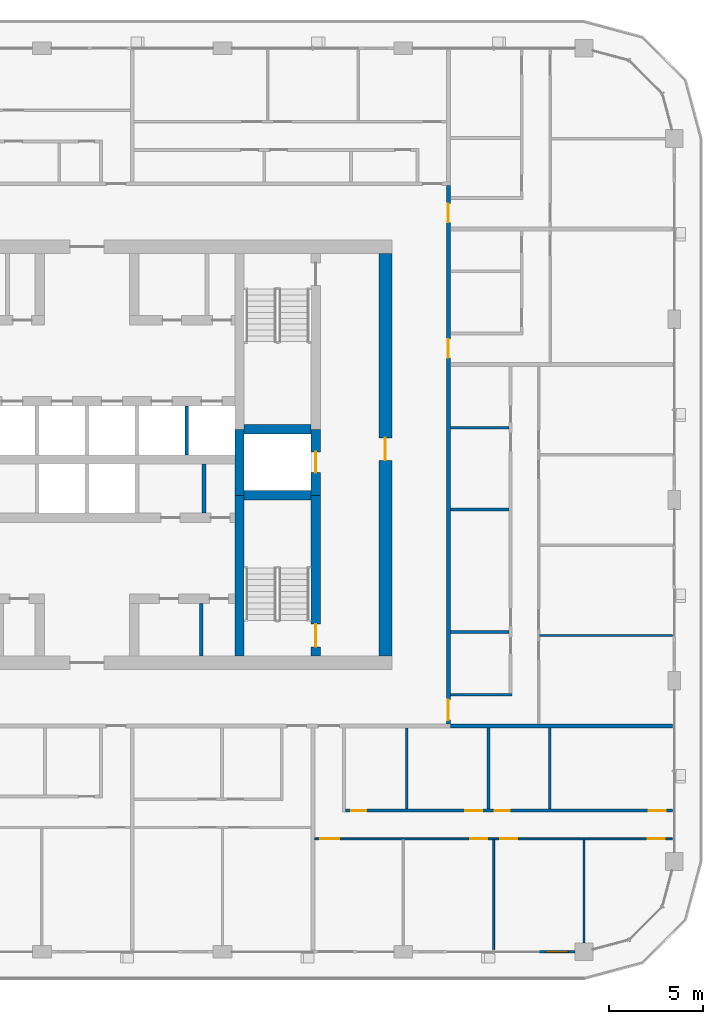
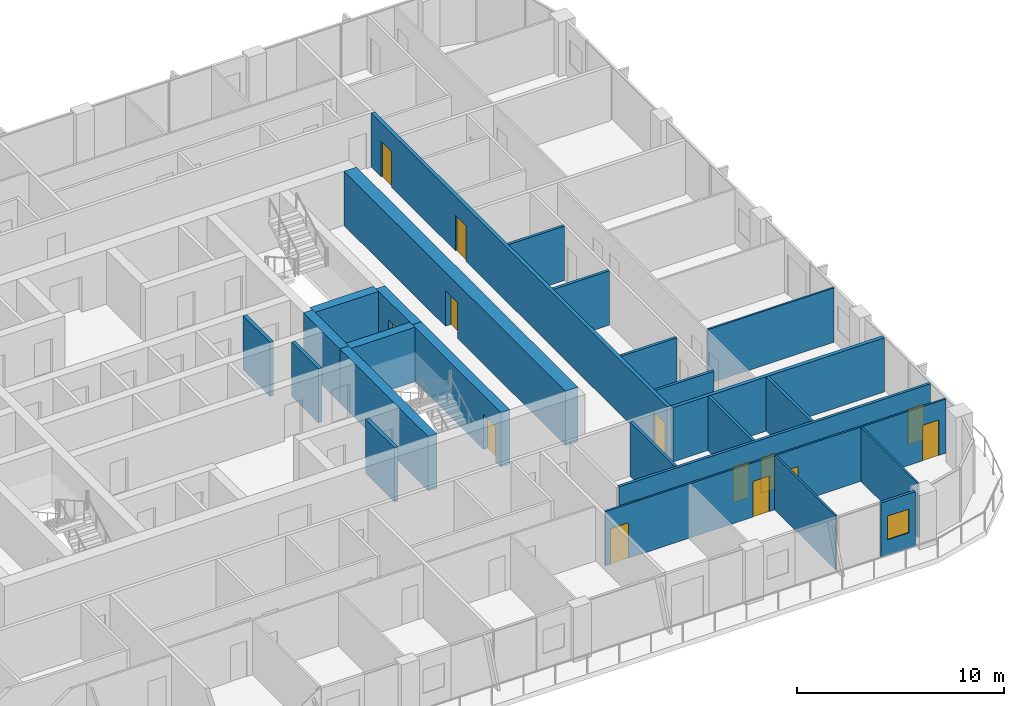
# One storey, part 12 of 22: 25 walls, 14 doors, 1 window, 15 openings.
"""IFC4 building model written with IfcOpenShell, lengths in metres."""

from ifc_helpers import new_model, si_unit, direction, frame, frame_2d, origin, place, context, subcontext, project, spatial, rectangle, extrude, material, layer, layer_set, type_object, element, fill, save


model = new_model("IFC4")

# Units and contexts
model_context = context("Model", 3, precision=1e-05, world=origin(), true_north=direction((0.0, 1.0)))
body_context = subcontext(model_context, "Body", "Model", "MODEL_VIEW")
ifc_project = project(units=[si_unit("LENGTHUNIT", "METRE"), si_unit("AREAUNIT", "SQUARE_METRE"), si_unit("VOLUMEUNIT", "CUBIC_METRE"), si_unit("PLANEANGLEUNIT", "RADIAN"), si_unit("MASSUNIT", "GRAM", prefix="KILO")], contexts=[model_context])

# Site, building, storey
site_placement = place(None, origin())
site = spatial("IfcSite", under=ifc_project, at=site_placement, CompositionType="ELEMENT")
building_placement = place(site_placement, origin())
building = spatial("IfcBuilding", under=site, at=building_placement, Name="Madar Terraces", CompositionType="ELEMENT")
storey_placement = place(building_placement, frame((0.0, 0.0, 182.39990234375)))
storey = spatial("IfcBuildingStorey", under=building, at=storey_placement, Name="L47", CompositionType="ELEMENT", Elevation=182.39990234375)

# Walls
ifc_material_1 = material(Name="Concrete C60/75", Category="concrete")
ifc_layer_1 = layer(ifc_material_1, 0.5)
ifc_layer_set_1 = layer_set([ifc_layer_1], Name="Concrete C60/75 (CIW4 RC wall 500)")
wall_type_1 = type_object("IfcWallType", Name="CIW4 RC wall 500", PredefinedType="SHEAR", material=ifc_layer_set_1)
wall_1_placement = place(storey_placement, frame((39.300048828125, 15.699951171875, 0.0), z_axis=(0.0, 0.0, 1.0), x_axis=(0.0, 1.0, 0.0)))
element("IfcWall", 1, at=wall_1_placement, inside=storey, type_object=wall_type_1, Name="CORE SHAFT WALL", PredefinedType="SHEAR", context=body_context, shape_type="SweptSolid", body=[
    extrude(rectangle(XDim=8.550048828125, YDim=0.5, at=frame_2d((4.27490234375, 0.0))), origin(), (0.0, 0.0, 1.0), 3.2001953125),
])
wall_2_placement = place(storey_placement, frame((39.300048828125, 24.25, 0.0), z_axis=(0.0, 0.0, 1.0), x_axis=(0.0, 1.0, 0.0)))
element("IfcWall", 2, at=wall_2_placement, inside=storey, type_object=wall_type_1, Name="CORE SHAFT WALL", PredefinedType="SHEAR", context=body_context, shape_type="SweptSolid", body=[
    extrude(rectangle(XDim=3.5, YDim=0.5, at=frame_2d((1.75, 0.0))), origin(), (0.0, 0.0, 1.0), 3.2001953125),
])

# Wall, opening, door
wall_3_placement = place(storey_placement, frame((43.35009765625, 15.699951171875, 0.0), z_axis=(0.0, 0.0, 1.0), x_axis=(0.0, 1.0, 0.0)))
wall_3 = element("IfcWall", 3, at=wall_3_placement, inside=storey, type_object=wall_type_1, Name="CORE SHAFT WALL", PredefinedType="SHEAR", context=body_context, shape_type="SweptSolid", body=[
    extrude(rectangle(XDim=8.550048828125, YDim=0.5, at=frame_2d((4.27490234375, 0.0))), origin(), (0.0, 0.0, 1.0), 3.2001953125),
])
opening_1_placement = place(wall_3_placement, frame((0.5, 0.0, 0.0)))
opening_1 = element("IfcOpeningElement", 4, at=opening_1_placement, cuts=wall_3, Name="Opening SD1", PredefinedType="OPENING", context=body_context, shape_type="SweptSolid", body=[
    extrude(rectangle(XDim=1.199951171875, YDim=2.10009765625, at=frame_2d((0.60009765625, 1.050048828125))), frame((0.0, 0.260009765625, 0.0), z_axis=(0.0, -1.0, 0.0), x_axis=(1.0, 0.0, 0.0)), (0.0, 0.0, 1.0), 0.52001953125),
])
ifc_material_2 = material(Name="Steel door leaf", Category="steel")
door_type_1 = type_object("IfcDoorType", Name="Stair door 1200 x 2100", OperationType="NOTDEFINED", PredefinedType="DOOR", material=ifc_material_2)
door_1_placement = place(opening_1_placement, origin())
door_1 = element("IfcDoor", 5, at=door_1_placement, inside=storey, type_object=door_type_1, Name="STAIR DOOR", OperationType="SINGLE_SWING_RIGHT", OverallHeight=2.10009765625, OverallWidth=1.199951171875, PredefinedType="DOOR", context=body_context, shape_type="SweptSolid", body=[
    extrude(rectangle(XDim=1.199951171875, YDim=2.10009765625, at=frame_2d((0.60009765625, 1.050048828125))), frame((0.0, 0.02490234375, 0.0), z_axis=(0.0, -1.0, 0.0), x_axis=(1.0, 0.0, 0.0)), (0.0, 0.0, 1.0), 0.050048828125),
])
fill(opening_1, door_1)

wall_4_placement = place(storey_placement, frame((43.35009765625, 24.25, 0.0), z_axis=(0.0, 0.0, 1.0), x_axis=(0.0, 1.0, 0.0)))
wall_4 = element("IfcWall", 6, at=wall_4_placement, inside=storey, type_object=wall_type_1, Name="CORE SHAFT WALL", PredefinedType="SHEAR", context=body_context, shape_type="SweptSolid", body=[
    extrude(rectangle(XDim=3.5, YDim=0.5, at=frame_2d((1.75, 0.0))), origin(), (0.0, 0.0, 1.0), 3.2001953125),
])
opening_2_placement = place(wall_4_placement, frame((1.199951171875, 0.0, 0.0)))
opening_2 = element("IfcOpeningElement", 7, at=opening_2_placement, cuts=wall_4, Name="Opening LD", PredefinedType="OPENING", context=body_context, shape_type="SweptSolid", body=[
    extrude(rectangle(XDim=1.10009765625, YDim=2.10009765625, at=frame_2d((0.550048828125, 1.050048828125))), frame((0.0, 0.260009765625, 0.0), z_axis=(0.0, -1.0, 0.0), x_axis=(1.0, 0.0, 0.0)), (0.0, 0.0, 1.0), 0.52001953125),
])
ifc_material_3 = material(Name="Stainless steel panel", Category="steel")
door_type_2 = type_object("IfcDoorType", Name="Lift landing door 1100 x 2100", OperationType="DOUBLE_DOOR_SLIDING", PredefinedType="DOOR", material=ifc_material_3)
door_2_placement = place(opening_2_placement, origin())
door_2 = element("IfcDoor", 8, at=door_2_placement, inside=storey, type_object=door_type_2, Name="LIFT LANDING DOOR", OperationType="DOUBLE_DOOR_SLIDING", OverallHeight=2.10009765625, OverallWidth=1.10009765625, PredefinedType="DOOR", context=body_context, shape_type="SweptSolid", body=[
    extrude(rectangle(XDim=1.10009765625, YDim=2.10009765625, at=frame_2d((0.550048828125, 1.050048828125))), frame((0.0, 0.02490234375, 0.0), z_axis=(0.0, -1.0, 0.0), x_axis=(1.0, 0.0, 0.0)), (0.0, 0.0, 1.0), 0.050048828125),
])
fill(opening_2, door_2)

# Walls
for number, where, z_axis, x_axis, name in (
    (9, (39.550048828125, 24.25, 0.0), (0.0, 0.0, 1.0), (1.0, 0.0, 0.0), "CORE SHAFT WALL"),
    (10, (39.550048828125, 27.75, 0.0), (0.0, 0.0, 1.0), (1.0, 0.0, 0.0), "CORE SHAFT WALL"),
):
    element("IfcWall", number, at=place(storey_placement, frame(where, z_axis=z_axis, x_axis=x_axis)), inside=storey, type_object=wall_type_1, Name=name, PredefinedType="SHEAR", context=body_context, shape_type="SweptSolid", body=[
        extrude(rectangle(XDim=3.550048828125, YDim=0.5, at=frame_2d((1.77490234375, 0.0))), origin(), (0.0, 0.0, 1.0), 3.2001953125),
    ])

# Wall, opening, door
ifc_material_4 = material(Name="Concrete C60/75", Category="concrete")
ifc_layer_2 = layer(ifc_material_4, 0.699951171875)
ifc_layer_set_2 = layer_set([ifc_layer_2], Name="Concrete C60/75 (CRW4 RC wall 700)")
wall_type_2 = type_object("IfcWallType", Name="CRW4 RC wall 700", PredefinedType="SHEAR", material=ifc_layer_set_2)
wall_5_placement = place(storey_placement, frame((47.050048828125, 15.699951171875, 0.0), z_axis=(0.0, 0.0, 1.0), x_axis=(0.0, 1.0, 0.0)))
wall_5 = element("IfcWall", 11, at=wall_5_placement, inside=storey, type_object=wall_type_2, Name="CORE OUTER WALL", PredefinedType="SHEAR", context=body_context, shape_type="SweptSolid", body=[
    extrude(rectangle(XDim=21.400146484375, YDim=0.699951171875, at=frame_2d((10.7001953125, 0.0))), origin(), (0.0, 0.0, 1.0), 3.2001953125),
])
opening_3_placement = place(wall_5_placement, frame((10.39990234375, 0.0, 0.0)))
opening_3 = element("IfcOpeningElement", 12, at=opening_3_placement, cuts=wall_5, Name="Opening SD1", PredefinedType="OPENING", context=body_context, shape_type="SweptSolid", body=[
    extrude(rectangle(XDim=1.199951171875, YDim=2.10009765625, at=frame_2d((0.60009765625, 1.050048828125))), frame((0.0, 0.35986328125, 0.0), z_axis=(0.0, -1.0, 0.0), x_axis=(1.0, 0.0, 0.0)), (0.0, 0.0, 1.0), 0.719970703125),
])
door_3_placement = place(opening_3_placement, origin())
door_3 = element("IfcDoor", 13, at=door_3_placement, inside=storey, type_object=door_type_1, Name="STAIR DOOR", OperationType="SINGLE_SWING_LEFT", OverallHeight=2.10009765625, OverallWidth=1.199951171875, PredefinedType="DOOR", context=body_context, shape_type="SweptSolid", body=[
    extrude(rectangle(XDim=1.199951171875, YDim=2.10009765625, at=frame_2d((0.60009765625, 1.050048828125))), frame((0.0, 0.02490234375, 0.0), z_axis=(0.0, -1.0, 0.0), x_axis=(1.0, 0.0, 0.0)), (0.0, 0.0, 1.0), 0.050048828125),
])
fill(opening_3, door_3)

# Walls
ifc_material_5 = material(Name="Masonry blockwork", Category="masonry")
ifc_layer_3 = layer(ifc_material_5, 0.199951171875)
ifc_layer_set_3 = layer_set([ifc_layer_3], Name="Core partition 200 blockwork")
wall_type_3 = type_object("IfcWallType", Name="Core partition 200 blockwork", PredefinedType="PARTITIONING", material=ifc_layer_set_3)
wall_6_placement = place(storey_placement, frame((37.41796875, 23.300048828125, 0.0), z_axis=(0.0, 0.0, 1.0), x_axis=(0.0, 1.0, 0.0)))
element("IfcWall", 14, at=wall_6_placement, inside=storey, type_object=wall_type_3, Name="SERVICE ROOM PARTITION", PredefinedType="PARTITIONING", context=body_context, shape_type="SweptSolid", body=[
    extrude(rectangle(XDim=2.599853515625, YDim=0.199951171875, at=frame_2d((1.2998046875, 0.0))), origin(), (0.0, 0.0, 1.0), 3.2001953125),
])
wall_7_placement = place(storey_placement, frame((37.264892578125, 15.699951171875, 0.0), z_axis=(0.0, 0.0, 1.0), x_axis=(0.0, 1.0, 0.0)))
element("IfcWall", 15, at=wall_7_placement, inside=storey, type_object=wall_type_3, Name="SERVICE ROOM PARTITION", PredefinedType="PARTITIONING", context=body_context, shape_type="SweptSolid", body=[
    extrude(rectangle(XDim=2.800048828125, YDim=0.199951171875, at=frame_2d((1.39990234375, 0.0))), origin(), (0.0, 0.0, 1.0), 3.2001953125),
])
ifc_material_6 = material(Name="Concrete C40/50", Category="concrete")
ifc_layer_4 = layer(ifc_material_6, 0.199951171875)
ifc_layer_set_4 = layer_set([ifc_layer_4], Name="Core shaft dividing wall 200 C40/50")
wall_type_4 = type_object("IfcWallType", Name="Core shaft dividing wall 200 C40/50", PredefinedType="SOLIDWALL", material=ifc_layer_set_4)
wall_8_placement = place(storey_placement, frame((36.5, 26.39990234375, 0.0), z_axis=(0.0, 0.0, 1.0), x_axis=(0.0, 1.0, 0.0)))
element("IfcWall", 16, at=wall_8_placement, inside=storey, type_object=wall_type_4, Name="SHAFT DIVIDING WALL", PredefinedType="SOLIDWALL", context=body_context, shape_type="SweptSolid", body=[
    extrude(rectangle(XDim=2.60009765625, YDim=0.199951171875, at=frame_2d((1.300048828125, 0.0))), origin(), (0.0, 0.0, 1.0), 3.2001953125),
])

# Wall, opening, window
ifc_material_7 = material(Name="Aluminium composite panel, black, over insulated backing", Category="aluminium")
ifc_layer_5 = layer(ifc_material_7, 0.14990234375)
ifc_layer_set_5 = layer_set([ifc_layer_5], Name="Facade bay panel 150")
wall_type_5 = type_object("IfcWallType", Name="Facade bay panel 150", PredefinedType="SOLIDWALL", material=ifc_layer_set_5)
wall_9_placement = place(storey_placement, frame((55.199951171875, 0.0, 0.0), z_axis=(0.0, 0.0, 1.0), x_axis=(1.0, 0.0, 0.0)))
wall_9 = element("IfcWall", 17, at=wall_9_placement, inside=storey, type_object=wall_type_5, Name="Facade bay panel", PredefinedType="SOLIDWALL", context=body_context, shape_type="SweptSolid", body=[
    extrude(rectangle(XDim=1.925048828125, YDim=0.14990234375, at=frame_2d((0.96240234375, 0.0))), origin(), (0.0, 0.0, 1.0), 3.2001953125),
])
opening_4_placement = place(wall_9_placement, frame((0.362548828125, 0.0, 0.89990234375)))
opening_4 = element("IfcOpeningElement", 18, at=opening_4_placement, cuts=wall_9, Name="Opening W1", PredefinedType="OPENING", context=body_context, shape_type="SweptSolid", body=[
    extrude(rectangle(XDim=1.199951171875, YDim=1.39990234375, at=frame_2d((0.60009765625, 0.699951171875))), frame((0.0, 0.0849609375, 0.0), z_axis=(0.0, -1.0, 0.0), x_axis=(1.0, 0.0, 0.0)), (0.0, 0.0, 1.0), 0.169921875),
])
ifc_material_8 = material(Name="Glass, clear, with black aluminium frame", Category="aluminium")
window_type = type_object("IfcWindowType", Name="Vent window 1200 x 1400", PartitioningType="SINGLE_PANEL", PredefinedType="WINDOW", material=ifc_material_8)
window_placement = place(opening_4_placement, origin())
window = element("IfcWindow", 19, at=window_placement, inside=storey, type_object=window_type, Name="Operable vent window", OverallHeight=1.39990234375, OverallWidth=1.199951171875, PartitioningType="SINGLE_PANEL", PredefinedType="WINDOW", context=body_context, shape_type="SweptSolid", body=[
    extrude(rectangle(XDim=1.199951171875, YDim=1.39990234375, at=frame_2d((0.60009765625, 0.699951171875))), frame((0.0, 0.030029296875, 0.0), z_axis=(0.0, -1.0, 0.0), x_axis=(1.0, 0.0, 0.0)), (0.0, 0.0, 1.0), 0.06005859375),
])
fill(opening_4, window)

# Walls
ifc_material_9 = material(Name="Gypsum board on steel studs", Category="steel")
ifc_layer_6 = layer(ifc_material_9, 0.10009765625)
ifc_layer_set_6 = layer_set([ifc_layer_6], Name="Flat partition 100")
wall_type_6 = type_object("IfcWallType", Name="Flat partition 100", PredefinedType="PARTITIONING", material=ifc_layer_set_6)
wall_10_placement = place(storey_placement, frame((52.800048828125, 5.949951171875, 0.0), z_axis=(0.0, 0.0, 1.0), x_axis=(0.0, -1.0, 0.0)))
element("IfcWall", 20, at=wall_10_placement, inside=storey, type_object=wall_type_6, Name="Flat partition 100", PredefinedType="PARTITIONING", context=body_context, shape_type="SweptSolid", body=[
    extrude(rectangle(XDim=5.849853515625, YDim=0.10009765625, at=frame_2d((2.9248046875, 0.0))), origin(), (0.0, 0.0, 1.0), 3.2001953125),
])
wall_11_placement = place(storey_placement, frame((57.60009765625, 5.949951171875, 0.0), z_axis=(0.0, 0.0, 1.0), x_axis=(0.0, -1.0, 0.0)))
element("IfcWall", 21, at=wall_11_placement, inside=storey, type_object=wall_type_6, Name="Flat partition 100", PredefinedType="PARTITIONING", context=body_context, shape_type="SweptSolid", body=[
    extrude(rectangle(XDim=5.474853515625, YDim=0.10009765625, at=frame_2d((2.7373046875, 0.0))), origin(), (0.0, 0.0, 1.0), 3.2001953125),
])

# Wall, openings, doors
wall_12_placement = place(storey_placement, frame((62.300048828125, 6.0, 0.0), z_axis=(0.0, 0.0, 1.0), x_axis=(-1.0, 0.0, 0.0)))
wall_12 = element("IfcWall", 22, at=wall_12_placement, inside=storey, type_object=wall_type_6, Name="Flat partition 100", PredefinedType="PARTITIONING", context=body_context, shape_type="SweptSolid", body=[
    extrude(rectangle(XDim=19.0, YDim=0.10009765625, at=frame_2d((9.5, 0.0))), origin(), (0.0, 0.0, 1.0), 3.2001953125),
])
opening_5_placement = place(wall_12_placement, frame((17.699951171875, 0.0, 0.0)))
opening_5 = element("IfcOpeningElement", 23, at=opening_5_placement, cuts=wall_12, Name="Opening D3", PredefinedType="OPENING", context=body_context, shape_type="SweptSolid", body=[
    extrude(rectangle(XDim=1.0, YDim=2.10009765625, at=frame_2d((0.5, 1.050048828125))), frame((0.0, 0.06005859375, 0.0), z_axis=(0.0, -1.0, 0.0), x_axis=(1.0, 0.0, 0.0)), (0.0, 0.0, 1.0), 0.1201171875),
])
opening_6_placement = place(wall_12_placement, frame((9.85009765625, 0.0, 0.0)))
opening_6 = element("IfcOpeningElement", 24, at=opening_6_placement, cuts=wall_12, Name="Opening D2", PredefinedType="OPENING", context=body_context, shape_type="SweptSolid", body=[
    extrude(rectangle(XDim=0.89990234375, YDim=2.10009765625, at=frame_2d((0.449951171875, 1.050048828125))), frame((0.0, 0.06005859375, 0.0), z_axis=(0.0, -1.0, 0.0), x_axis=(1.0, 0.0, 0.0)), (0.0, 0.0, 1.0), 0.1201171875),
])
opening_7_placement = place(wall_12_placement, frame((8.25, 0.0, 0.0)))
opening_7 = element("IfcOpeningElement", 25, at=opening_7_placement, cuts=wall_12, Name="Opening D2", PredefinedType="OPENING", context=body_context, shape_type="SweptSolid", body=[
    extrude(rectangle(XDim=0.89990234375, YDim=2.10009765625, at=frame_2d((0.449951171875, 1.050048828125))), frame((0.0, 0.06005859375, 0.0), z_axis=(0.0, -1.0, 0.0), x_axis=(1.0, 0.0, 0.0)), (0.0, 0.0, 1.0), 0.1201171875),
])
opening_8_placement = place(wall_12_placement, frame((0.39990234375, 0.0, 0.0)))
opening_8 = element("IfcOpeningElement", 26, at=opening_8_placement, cuts=wall_12, Name="Opening D2", PredefinedType="OPENING", context=body_context, shape_type="SweptSolid", body=[
    extrude(rectangle(XDim=0.89990234375, YDim=2.10009765625, at=frame_2d((0.449951171875, 1.050048828125))), frame((0.0, 0.06005859375, 0.0), z_axis=(0.0, -1.0, 0.0), x_axis=(1.0, 0.0, 0.0)), (0.0, 0.0, 1.0), 0.1201171875),
])
ifc_material_10 = material(Name="Timber door leaf", Category="wood")
door_type_3 = type_object("IfcDoorType", Name="Flat living room door 1000", OperationType="NOTDEFINED", PredefinedType="DOOR", material=ifc_material_10)
door_4_placement = place(opening_5_placement, origin())
door_4 = element("IfcDoor", 27, at=door_4_placement, inside=storey, type_object=door_type_3, Name="Flat living room door 1000", OperationType="SINGLE_SWING_RIGHT", OverallHeight=2.10009765625, OverallWidth=1.0, PredefinedType="DOOR", context=body_context, shape_type="SweptSolid", body=[
    extrude(rectangle(XDim=1.0, YDim=2.10009765625, at=frame_2d((0.5, 1.050048828125))), frame((0.0, 0.02490234375, 0.0), z_axis=(0.0, -1.0, 0.0), x_axis=(1.0, 0.0, 0.0)), (0.0, 0.0, 1.0), 0.050048828125),
])
fill(opening_5, door_4)
ifc_material_11 = material(Name="Timber door leaf", Category="wood")
door_type_4 = type_object("IfcDoorType", Name="Flat room door 900", OperationType="NOTDEFINED", PredefinedType="DOOR", material=ifc_material_11)
door_5_placement = place(opening_6_placement, origin())
door_5 = element("IfcDoor", 28, at=door_5_placement, inside=storey, type_object=door_type_4, Name="Flat room door 900", OperationType="SINGLE_SWING_LEFT", OverallHeight=2.10009765625, OverallWidth=0.89990234375, PredefinedType="DOOR", context=body_context, shape_type="SweptSolid", body=[
    extrude(rectangle(XDim=0.89990234375, YDim=2.10009765625, at=frame_2d((0.449951171875, 1.050048828125))), frame((0.0, 0.02490234375, 0.0), z_axis=(0.0, -1.0, 0.0), x_axis=(1.0, 0.0, 0.0)), (0.0, 0.0, 1.0), 0.050048828125),
])
fill(opening_6, door_5)
door_6_placement = place(opening_7_placement, origin())
door_6 = element("IfcDoor", 29, at=door_6_placement, inside=storey, type_object=door_type_4, Name="Flat room door 900", OperationType="SINGLE_SWING_RIGHT", OverallHeight=2.10009765625, OverallWidth=0.89990234375, PredefinedType="DOOR", context=body_context, shape_type="SweptSolid", body=[
    extrude(rectangle(XDim=0.89990234375, YDim=2.10009765625, at=frame_2d((0.449951171875, 1.050048828125))), frame((0.0, 0.02490234375, 0.0), z_axis=(0.0, -1.0, 0.0), x_axis=(1.0, 0.0, 0.0)), (0.0, 0.0, 1.0), 0.050048828125),
])
fill(opening_7, door_6)
door_7_placement = place(opening_8_placement, origin())
door_7 = element("IfcDoor", 30, at=door_7_placement, inside=storey, type_object=door_type_4, Name="Flat room door 900", OperationType="SINGLE_SWING_LEFT", OverallHeight=2.10009765625, OverallWidth=0.89990234375, PredefinedType="DOOR", context=body_context, shape_type="SweptSolid", body=[
    extrude(rectangle(XDim=0.89990234375, YDim=2.10009765625, at=frame_2d((0.449951171875, 1.050048828125))), frame((0.0, 0.02490234375, 0.0), z_axis=(0.0, -1.0, 0.0), x_axis=(1.0, 0.0, 0.0)), (0.0, 0.0, 1.0), 0.050048828125),
])
fill(opening_8, door_7)

# Wall
wall_13_placement = place(storey_placement, frame((55.25, 16.800048828125, 0.0), z_axis=(0.0, 0.0, 1.0), x_axis=(1.0, 0.0, 0.0)))
element("IfcWall", 31, at=wall_13_placement, inside=storey, type_object=wall_type_6, Name="Flat partition 100", PredefinedType="PARTITIONING", context=body_context, shape_type="SweptSolid", body=[
    extrude(rectangle(XDim=7.050048828125, YDim=0.10009765625, at=frame_2d((3.52490234375, 0.0))), origin(), (0.0, 0.0, 1.0), 3.2001953125),
])

# Wall, openings, doors
ifc_material_12 = material(Name="Lightweight blockwork", Category="masonry")
ifc_layer_7 = layer(ifc_material_12, 0.199951171875)
ifc_layer_set_7 = layer_set([ifc_layer_7], Name="Flat party and entrance wall 200")
wall_type_7 = type_object("IfcWallType", Name="Flat party and entrance wall 200", PredefinedType="PARTITIONING", material=ifc_layer_set_7)
wall_14_placement = place(storey_placement, frame((50.39990234375, 40.699951171875, 0.0), z_axis=(0.0, 0.0, 1.0), x_axis=(0.0, -1.0, 0.0)))
wall_14 = element("IfcWall", 32, at=wall_14_placement, inside=storey, type_object=wall_type_7, Name="Flat party and entrance wall 200", PredefinedType="PARTITIONING", context=body_context, shape_type="SweptSolid", body=[
    extrude(rectangle(XDim=28.599853515625, YDim=0.199951171875, at=frame_2d((14.2998046875, 0.0))), origin(), (0.0, 0.0, 1.0), 3.2001953125),
])
opening_9_placement = place(wall_14_placement, frame((27.300048828125, 0.0, 0.0)))
opening_9 = element("IfcOpeningElement", 33, at=opening_9_placement, cuts=wall_14, Name="Opening D6", PredefinedType="OPENING", context=body_context, shape_type="SweptSolid", body=[
    extrude(rectangle(XDim=1.10009765625, YDim=2.10009765625, at=frame_2d((0.550048828125, 1.050048828125))), frame((0.0, 0.10986328125, 0.0), z_axis=(0.0, -1.0, 0.0), x_axis=(1.0, 0.0, 0.0)), (0.0, 0.0, 1.0), 0.219970703125),
])
opening_10_placement = place(wall_14_placement, frame((8.14990234375, 0.0, 0.0)))
opening_10 = element("IfcOpeningElement", 34, at=opening_10_placement, cuts=wall_14, Name="Opening D1", PredefinedType="OPENING", context=body_context, shape_type="SweptSolid", body=[
    extrude(rectangle(XDim=1.0, YDim=2.10009765625, at=frame_2d((0.5, 1.050048828125))), frame((0.0, 0.10986328125, 0.0), z_axis=(0.0, -1.0, 0.0), x_axis=(1.0, 0.0, 0.0)), (0.0, 0.0, 1.0), 0.219970703125),
])
opening_11_placement = place(wall_14_placement, frame((0.949951171875, 0.0, 0.0)))
opening_11 = element("IfcOpeningElement", 35, at=opening_11_placement, cuts=wall_14, Name="Opening D1", PredefinedType="OPENING", context=body_context, shape_type="SweptSolid", body=[
    extrude(rectangle(XDim=1.0, YDim=2.10009765625, at=frame_2d((0.5, 1.050048828125))), frame((0.0, 0.10986328125, 0.0), z_axis=(0.0, -1.0, 0.0), x_axis=(1.0, 0.0, 0.0)), (0.0, 0.0, 1.0), 0.219970703125),
])
ifc_material_13 = material(Name="Timber fire door leaf", Category="wood")
door_type_5 = type_object("IfcDoorType", Name="Flat entrance door 1000 FD30S", OperationType="NOTDEFINED", PredefinedType="DOOR", material=ifc_material_13)
door_8_placement = place(opening_10_placement, origin())
door_8 = element("IfcDoor", 36, at=door_8_placement, inside=storey, type_object=door_type_5, Name="Flat entrance door 1000 FD30S", OperationType="SINGLE_SWING_RIGHT", OverallHeight=2.10009765625, OverallWidth=1.0, PredefinedType="DOOR", context=body_context, shape_type="SweptSolid", body=[
    extrude(rectangle(XDim=1.0, YDim=2.10009765625, at=frame_2d((0.5, 1.050048828125))), frame((0.0, 0.02490234375, 0.0), z_axis=(0.0, -1.0, 0.0), x_axis=(1.0, 0.0, 0.0)), (0.0, 0.0, 1.0), 0.050048828125),
])
fill(opening_10, door_8)
door_9_placement = place(opening_11_placement, origin())
door_9 = element("IfcDoor", 37, at=door_9_placement, inside=storey, type_object=door_type_5, Name="Flat entrance door 1000 FD30S", OperationType="SINGLE_SWING_RIGHT", OverallHeight=2.10009765625, OverallWidth=1.0, PredefinedType="DOOR", context=body_context, shape_type="SweptSolid", body=[
    extrude(rectangle(XDim=1.0, YDim=2.10009765625, at=frame_2d((0.5, 1.050048828125))), frame((0.0, 0.02490234375, 0.0), z_axis=(0.0, -1.0, 0.0), x_axis=(1.0, 0.0, 0.0)), (0.0, 0.0, 1.0), 0.050048828125),
])
fill(opening_11, door_9)
ifc_material_14 = material(Name="Timber fire door leaf", Category="wood")
door_type_6 = type_object("IfcDoorType", Name="Flat entrance door 1100 FD30S", OperationType="NOTDEFINED", PredefinedType="DOOR", material=ifc_material_14)
door_10_placement = place(opening_9_placement, origin())
door_10 = element("IfcDoor", 38, at=door_10_placement, inside=storey, type_object=door_type_6, Name="Flat entrance door 1100 FD30S", OperationType="SINGLE_SWING_RIGHT", OverallHeight=2.10009765625, OverallWidth=1.10009765625, PredefinedType="DOOR", context=body_context, shape_type="SweptSolid", body=[
    extrude(rectangle(XDim=1.10009765625, YDim=2.10009765625, at=frame_2d((0.550048828125, 1.050048828125))), frame((0.0, 0.02490234375, 0.0), z_axis=(0.0, -1.0, 0.0), x_axis=(1.0, 0.0, 0.0)), (0.0, 0.0, 1.0), 0.050048828125),
])
fill(opening_9, door_10)

# Walls
wall_15_placement = place(storey_placement, frame((50.5, 12.0, 0.0), z_axis=(0.0, 0.0, 1.0), x_axis=(1.0, 0.0, 0.0)))
element("IfcWall", 39, at=wall_15_placement, inside=storey, type_object=wall_type_7, Name="Flat party and entrance wall 200", PredefinedType="PARTITIONING", context=body_context, shape_type="SweptSolid", body=[
    extrude(rectangle(XDim=11.800048828125, YDim=0.199951171875, at=frame_2d((5.89990234375, 0.0))), origin(), (0.0, 0.0, 1.0), 3.2001953125),
])
ifc_material_15 = material(Name="Lightweight blockwork", Category="masonry")
ifc_layer_8 = layer(ifc_material_15, 0.14990234375)
ifc_layer_set_8 = layer_set([ifc_layer_8], Name="Flat wet-room partition 150")
wall_type_8 = type_object("IfcWallType", Name="Flat wet-room partition 150", PredefinedType="PARTITIONING", material=ifc_layer_set_8)
for number, where, z_axis, x_axis, name in (
    (40, (48.182861328125, 11.89990234375, 0.0), (0.0, 0.0, 1.0), (0.0, -1.0, 0.0), "Flat wet-room partition 150"),
    (41, (52.526611328125, 11.89990234375, 0.0), (0.0, 0.0, 1.0), (0.0, -1.0, 0.0), "Flat wet-room partition 150"),
    (42, (55.784423828125, 11.89990234375, 0.0), (0.0, 0.0, 1.0), (0.0, -1.0, 0.0), "Flat wet-room partition 150"),
):
    element("IfcWall", number, at=place(storey_placement, frame(where, z_axis=z_axis, x_axis=x_axis)), inside=storey, type_object=wall_type_8, Name=name, PredefinedType="PARTITIONING", context=body_context, shape_type="SweptSolid", body=[
        extrude(rectangle(XDim=4.324951171875, YDim=0.14990234375, at=frame_2d((2.16259765625, 0.0))), origin(), (0.0, 0.0, 1.0), 3.2001953125),
    ])

# Wall, openings, doors
wall_16_placement = place(storey_placement, frame((44.925048828125, 7.5, 0.0), z_axis=(0.0, 0.0, 1.0), x_axis=(1.0, 0.0, 0.0)))
wall_16 = element("IfcWall", 43, at=wall_16_placement, inside=storey, type_object=wall_type_8, Name="Flat wet-room partition 150", PredefinedType="PARTITIONING", context=body_context, shape_type="SweptSolid", body=[
    extrude(rectangle(XDim=17.375, YDim=0.14990234375, at=frame_2d((8.6875, 0.0))), origin(), (0.0, 0.0, 1.0), 3.2001953125),
])
opening_12_placement = place(wall_16_placement, frame((0.300048828125, 0.0, 0.0)))
opening_12 = element("IfcOpeningElement", 44, at=opening_12_placement, cuts=wall_16, Name="Opening D7", PredefinedType="OPENING", context=body_context, shape_type="SweptSolid", body=[
    extrude(rectangle(XDim=0.800048828125, YDim=2.10009765625, at=frame_2d((0.39990234375, 1.050048828125))), frame((0.0, 0.0849609375, 0.0), z_axis=(0.0, -1.0, 0.0), x_axis=(1.0, 0.0, 0.0)), (0.0, 0.0, 1.0), 0.169921875),
])
opening_13_placement = place(wall_16_placement, frame((6.376708984375, 0.0, 0.0)))
opening_13 = element("IfcOpeningElement", 45, at=opening_13_placement, cuts=wall_16, Name="Opening D5", PredefinedType="OPENING", context=body_context, shape_type="SweptSolid", body=[
    extrude(rectangle(XDim=0.89990234375, YDim=2.10009765625, at=frame_2d((0.449951171875, 1.050048828125))), frame((0.0, 0.0849609375, 0.0), z_axis=(0.0, -1.0, 0.0), x_axis=(1.0, 0.0, 0.0)), (0.0, 0.0, 1.0), 0.169921875),
])
opening_14_placement = place(wall_16_placement, frame((7.926513671875, 0.0, 0.0)))
opening_14 = element("IfcOpeningElement", 46, at=opening_14_placement, cuts=wall_16, Name="Opening D4", PredefinedType="OPENING", context=body_context, shape_type="SweptSolid", body=[
    extrude(rectangle(XDim=0.800048828125, YDim=2.10009765625, at=frame_2d((0.39990234375, 1.050048828125))), frame((0.0, 0.0849609375, 0.0), z_axis=(0.0, -1.0, 0.0), x_axis=(1.0, 0.0, 0.0)), (0.0, 0.0, 1.0), 0.169921875),
])
opening_15_placement = place(wall_16_placement, frame((16.125, 0.0, 0.0)))
opening_15 = element("IfcOpeningElement", 47, at=opening_15_placement, cuts=wall_16, Name="Opening D2", PredefinedType="OPENING", context=body_context, shape_type="SweptSolid", body=[
    extrude(rectangle(XDim=0.89990234375, YDim=2.10009765625, at=frame_2d((0.449951171875, 1.050048828125))), frame((0.0, 0.0849609375, 0.0), z_axis=(0.0, -1.0, 0.0), x_axis=(1.0, 0.0, 0.0)), (0.0, 0.0, 1.0), 0.169921875),
])
ifc_material_16 = material(Name="Timber door leaf", Category="wood")
door_type_7 = type_object("IfcDoorType", Name="Flat accessible bathroom door 900", OperationType="NOTDEFINED", PredefinedType="DOOR", material=ifc_material_16)
door_11_placement = place(opening_13_placement, origin())
door_11 = element("IfcDoor", 48, at=door_11_placement, inside=storey, type_object=door_type_7, Name="Flat accessible bathroom door 900", OperationType="SINGLE_SWING_RIGHT", OverallHeight=2.10009765625, OverallWidth=0.89990234375, PredefinedType="DOOR", context=body_context, shape_type="SweptSolid", body=[
    extrude(rectangle(XDim=0.89990234375, YDim=2.10009765625, at=frame_2d((0.449951171875, 1.050048828125))), frame((0.0, 0.02490234375, 0.0), z_axis=(0.0, -1.0, 0.0), x_axis=(1.0, 0.0, 0.0)), (0.0, 0.0, 1.0), 0.050048828125),
])
fill(opening_13, door_11)
ifc_material_17 = material(Name="Timber door leaf", Category="wood")
door_type_8 = type_object("IfcDoorType", Name="Flat bathroom door 800", OperationType="NOTDEFINED", PredefinedType="DOOR", material=ifc_material_17)
door_12_placement = place(opening_14_placement, origin())
door_12 = element("IfcDoor", 49, at=door_12_placement, inside=storey, type_object=door_type_8, Name="Flat bathroom door 800", OperationType="SINGLE_SWING_LEFT", OverallHeight=2.10009765625, OverallWidth=0.800048828125, PredefinedType="DOOR", context=body_context, shape_type="SweptSolid", body=[
    extrude(rectangle(XDim=0.800048828125, YDim=2.10009765625, at=frame_2d((0.39990234375, 1.050048828125))), frame((0.0, 0.02490234375, 0.0), z_axis=(0.0, -1.0, 0.0), x_axis=(1.0, 0.0, 0.0)), (0.0, 0.0, 1.0), 0.050048828125),
])
fill(opening_14, door_12)
door_13_placement = place(opening_15_placement, origin())
door_13 = element("IfcDoor", 50, at=door_13_placement, inside=storey, type_object=door_type_4, Name="Flat room door 900", OperationType="SINGLE_SWING_RIGHT", OverallHeight=2.10009765625, OverallWidth=0.89990234375, PredefinedType="DOOR", context=body_context, shape_type="SweptSolid", body=[
    extrude(rectangle(XDim=0.89990234375, YDim=2.10009765625, at=frame_2d((0.449951171875, 1.050048828125))), frame((0.0, 0.02490234375, 0.0), z_axis=(0.0, -1.0, 0.0), x_axis=(1.0, 0.0, 0.0)), (0.0, 0.0, 1.0), 0.050048828125),
])
fill(opening_15, door_13)
ifc_material_18 = material(Name="Timber door leaf", Category="wood")
door_type_9 = type_object("IfcDoorType", Name="Flat utility door 800", OperationType="NOTDEFINED", PredefinedType="DOOR", material=ifc_material_18)
door_14_placement = place(opening_12_placement, origin())
door_14 = element("IfcDoor", 51, at=door_14_placement, inside=storey, type_object=door_type_9, Name="Flat utility door 800", OperationType="SINGLE_SWING_LEFT", OverallHeight=2.10009765625, OverallWidth=0.800048828125, PredefinedType="DOOR", context=body_context, shape_type="SweptSolid", body=[
    extrude(rectangle(XDim=0.800048828125, YDim=2.10009765625, at=frame_2d((0.39990234375, 1.050048828125))), frame((0.0, 0.02490234375, 0.0), z_axis=(0.0, -1.0, 0.0), x_axis=(1.0, 0.0, 0.0)), (0.0, 0.0, 1.0), 0.050048828125),
])
fill(opening_12, door_14)

# Walls
for number, where, z_axis, x_axis, name in (
    (52, (50.5, 16.98291015625, 0.0), (0.0, 0.0, 1.0), (1.0, 0.0, 0.0), "Flat wet-room partition 150"),
    (53, (50.5, 23.498291015625, 0.0), (0.0, 0.0, 1.0), (1.0, 0.0, 0.0), "Flat wet-room partition 150"),
    (54, (50.5, 27.84228515625, 0.0), (0.0, 0.0, 1.0), (1.0, 0.0, 0.0), "Flat wet-room partition 150"),
):
    element("IfcWall", number, at=place(storey_placement, frame(where, z_axis=z_axis, x_axis=x_axis)), inside=storey, type_object=wall_type_8, Name=name, PredefinedType="PARTITIONING", context=body_context, shape_type="SweptSolid", body=[
        extrude(rectangle(XDim=3.125, YDim=0.14990234375, at=frame_2d((1.5625, 0.0))), origin(), (0.0, 0.0, 1.0), 3.2001953125),
    ])
wall_17_placement = place(storey_placement, frame((50.5, 13.64990234375, 0.0), z_axis=(0.0, 0.0, 1.0), x_axis=(1.0, 0.0, 0.0)))
element("IfcWall", 55, at=wall_17_placement, inside=storey, type_object=wall_type_8, Name="Flat wet-room partition 150", PredefinedType="PARTITIONING", context=body_context, shape_type="SweptSolid", body=[
    extrude(rectangle(XDim=3.27490234375, YDim=0.14990234375, at=frame_2d((1.637451171875, 0.0))), origin(), (0.0, 0.0, 1.0), 3.2001953125),
])

save(model, "model.ifc")
